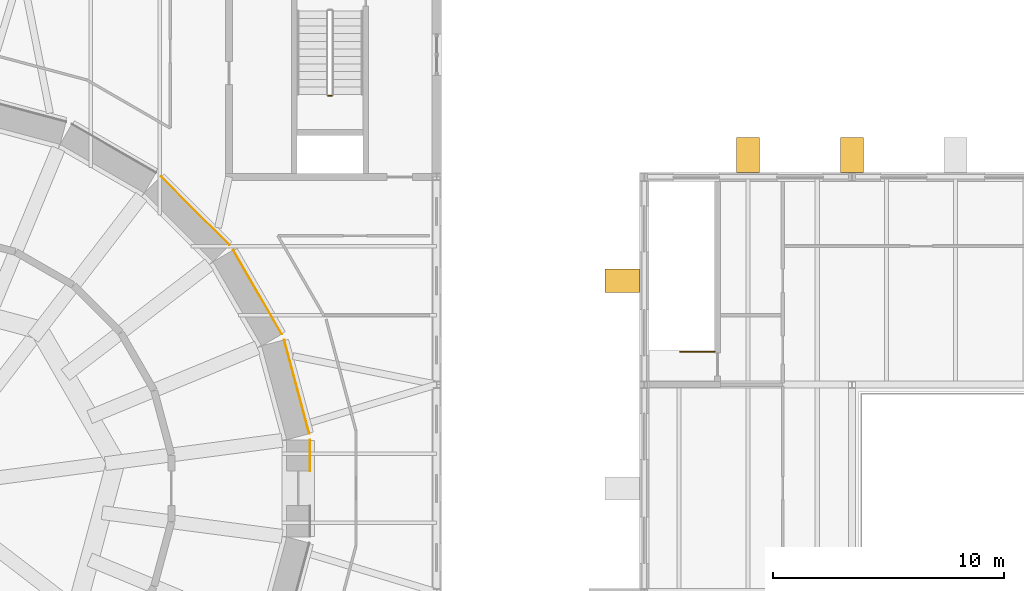
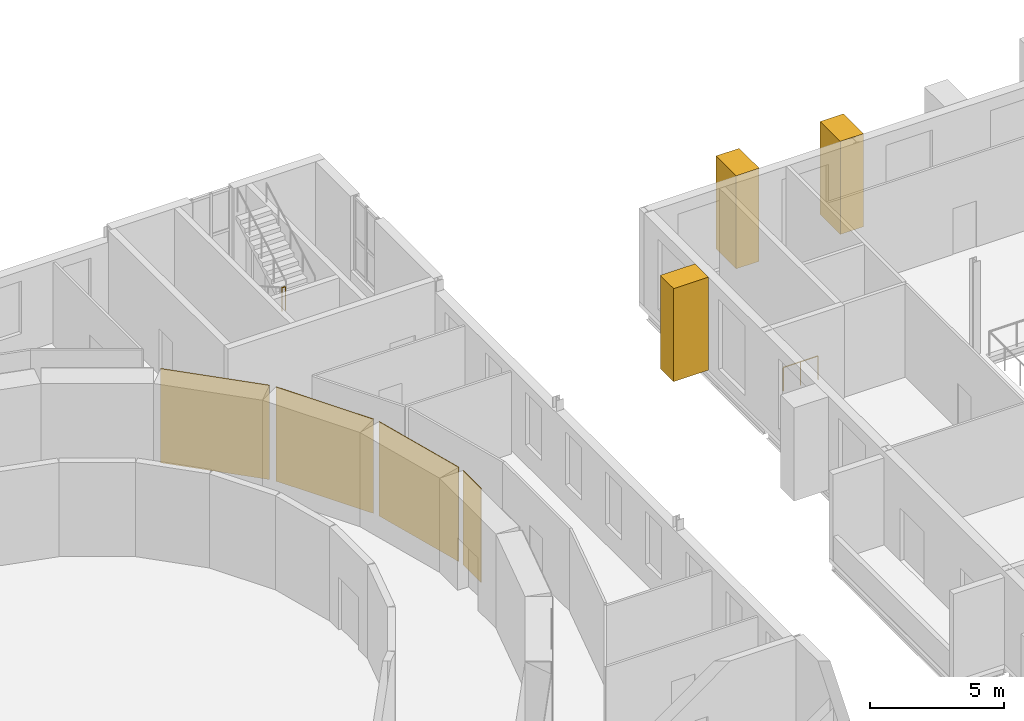
# One storey, part 124 of 131: 7 coverings, 2 railings.
"""IFC4 building model written with IfcOpenShell, lengths in metres."""

from ifc_helpers import new_model, si_unit, direction, frame, origin, origin_2d, place, context, subcontext, project, spatial, polyline, rectangle, circle, outline, extrude, material, layer, layer_set, type_object, element, save


model = new_model("IFC4")

# Units and contexts
model_context = context("Model", 3, precision=1e-05, world=origin(), true_north=direction((0.0, 1.0)))
body_context = subcontext(model_context, "Body", "Model", "MODEL_VIEW")
ifc_project = project(units=[si_unit("LENGTHUNIT", "METRE"), si_unit("AREAUNIT", "SQUARE_METRE"), si_unit("VOLUMEUNIT", "CUBIC_METRE"), si_unit("PLANEANGLEUNIT", "RADIAN"), si_unit("MASSUNIT", "GRAM", prefix="KILO")], contexts=[model_context])

# Site, building, storey
site_placement = place(None, origin())
site = spatial("IfcSite", under=ifc_project, at=site_placement, CompositionType="ELEMENT")
building_placement = place(site_placement, origin())
building = spatial("IfcBuilding", under=site, at=building_placement, Name="Golden Quay Civic Hall", CompositionType="ELEMENT")
storey_placement = place(building_placement, frame((0.0, 0.0, 9.89990234375)))
storey = spatial("IfcBuildingStorey", under=building, at=storey_placement, Name="L02", CompositionType="ELEMENT", Elevation=9.89990234375)

# Coverings
ifc_material_1 = material(Name="Brick, dark clay facing", Category="masonry")
covering_type_1 = type_object("IfcCoveringType", Name="Brick pier cladding 1000 x 1500", PredefinedType="CLADDING", material=ifc_material_1)
covering_1_placement = place(storey_placement, origin())
element("IfcCovering", 1, at=covering_1_placement, inside=storey, type_object=covering_type_1, Name="Brick pier cladding 1000 x 1500 L02 2", PredefinedType="CLADDING", context=body_context, shape_type="SweptSolid", body=[
    extrude(outline(polyline([(121.0, 99.199951171875), (122.0, 99.199951171875), (122.0, 100.699951171875), (121.0, 100.699951171875), (121.0, 99.199951171875)])), origin(), (0.0, 0.0, 1.0), 4.25),
])
covering_2_placement = place(storey_placement, origin())
element("IfcCovering", 2, at=covering_2_placement, inside=storey, type_object=covering_type_1, Name="Brick pier cladding 1000 x 1500 L02 3", PredefinedType="CLADDING", context=body_context, shape_type="SweptSolid", body=[
    extrude(outline(polyline([(125.5, 99.199951171875), (126.5, 99.199951171875), (126.5, 100.699951171875), (125.5, 100.699951171875), (125.5, 99.199951171875)])), origin(), (0.0, 0.0, 1.0), 4.25),
])
covering_3_placement = place(storey_placement, origin())
element("IfcCovering", 3, at=covering_3_placement, inside=storey, type_object=covering_type_1, Name="Brick pier cladding 1000 x 1500 L02 11", PredefinedType="CLADDING", context=body_context, shape_type="SweptSolid", body=[
    extrude(outline(polyline([(116.800048828125, 94.0), (116.800048828125, 95.0), (115.300048828125, 95.0), (115.300048828125, 94.0), (116.800048828125, 94.0)])), origin(), (0.0, 0.0, 1.0), 4.25),
])
ifc_material_2 = material(Name="Ceramic tile")
ifc_layer = layer(ifc_material_2, 0.030029296875)
ifc_layer_set = layer_set([ifc_layer], Name="Ceramic tile cladding, green glaze")
covering_type_2 = type_object("IfcCoveringType", Name="Ceramic tile cladding, green glaze", PredefinedType="CLADDING", material=ifc_layer_set)
for number, where, z_axis, x_axis, name in (
    (4, (101.935302734375, 89.90380859375, 0.0), (0.0, 0.0, 1.0), (-0.258819045103, 0.965925826289, 0.0), "Drum cladding 1.1"),
    (5, (100.2353515625, 94.007568359375, 0.0), (0.0, 0.0, 1.0), (-0.5, 0.866025403784, 0.0), "Drum cladding 2.1"),
    (6, (97.531494140625, 97.531494140625, 0.0), (0.0, 0.0, 1.0), (-0.707106781187, 0.707106781187, 0.0), "Drum cladding 3.1"),
):
    element("IfcCovering", number, at=place(storey_placement, frame(where, z_axis=z_axis, x_axis=x_axis)), inside=storey, type_object=covering_type_2, Name=name, PredefinedType="CLADDING", context=body_context, shape_type="SweptSolid", body=[
        extrude(rectangle(XDim=4.212890625, YDim=0.030029296875, at=origin_2d()), origin(), (0.0, 0.0, 1.0), 4.300048828125),
    ])
covering_4_placement = place(storey_placement, frame((102.514892578125, 86.92822265625, 0.0), z_axis=(0.0, 0.0, 1.0), x_axis=(0.0, 1.0, 0.0)))
element("IfcCovering", 7, at=covering_4_placement, inside=storey, type_object=covering_type_2, Name="Drum cladding 24.2", PredefinedType="CLADDING", context=body_context, shape_type="SweptSolid", body=[
    extrude(rectangle(XDim=1.3564453125, YDim=0.030029296875, at=origin_2d()), origin(), (0.0, 0.0, 1.0), 4.300048828125),
])

# Railings
ifc_material_3 = material(Name="Steel S355", Category="steel")
railing_type = type_object("IfcRailingType", Name="Steel guard 1100", PredefinedType="GUARDRAIL", material=ifc_material_3)
railing_1_placement = place(storey_placement, frame((103.300048828125, 102.52001953125, 2.25)))
element("IfcRailing", 8, at=railing_1_placement, inside=storey, type_object=railing_type, Name="L02 CB-NE stair guard 2", PredefinedType="GUARDRAIL", context=body_context, shape_type="SweptSolid", body=[
    extrude(circle(Radius=0.02392578125, at=origin_2d()), frame((0.0, 0.0, 1.076171875), z_axis=(1.0, 0.0, 0.0), x_axis=(0.0, 1.0, 0.0)), (0.0, 0.0, 1.0), 0.14990234375),
    extrude(circle(Radius=0.02099609375, at=origin_2d()), origin(), (0.0, 0.0, 1.0), 1.052001953125),
    extrude(circle(Radius=0.02099609375, at=origin_2d()), frame((0.14990234375, 0.0, 0.0)), (0.0, 0.0, 1.0), 1.052001953125),
])
railing_2_placement = place(storey_placement, frame((120.050048828125, 91.425048828125, 0.0)))
element("IfcRailing", 9, at=railing_2_placement, inside=storey, type_object=railing_type, Name="L02 LB-STN top well guard 1", PredefinedType="GUARDRAIL", context=body_context, shape_type="SweptSolid", body=[
    extrude(circle(Radius=0.02392578125, at=origin_2d()), frame((0.0, 0.0, 1.076171875), z_axis=(-1.0, 0.0, 0.0), x_axis=(0.0, -1.0, 0.0)), (0.0, 0.0, 1.0), 1.5),
    extrude(circle(Radius=0.02099609375, at=origin_2d()), origin(), (0.0, 0.0, 1.0), 1.052001953125),
    extrude(circle(Radius=0.02099609375, at=origin_2d()), frame((-0.75, 0.0, 0.0)), (0.0, 0.0, 1.0), 1.052001953125),
    extrude(circle(Radius=0.02099609375, at=origin_2d()), frame((-1.5, 0.0, 0.0)), (0.0, 0.0, 1.0), 1.052001953125),
])

save(model, "model.ifc")
